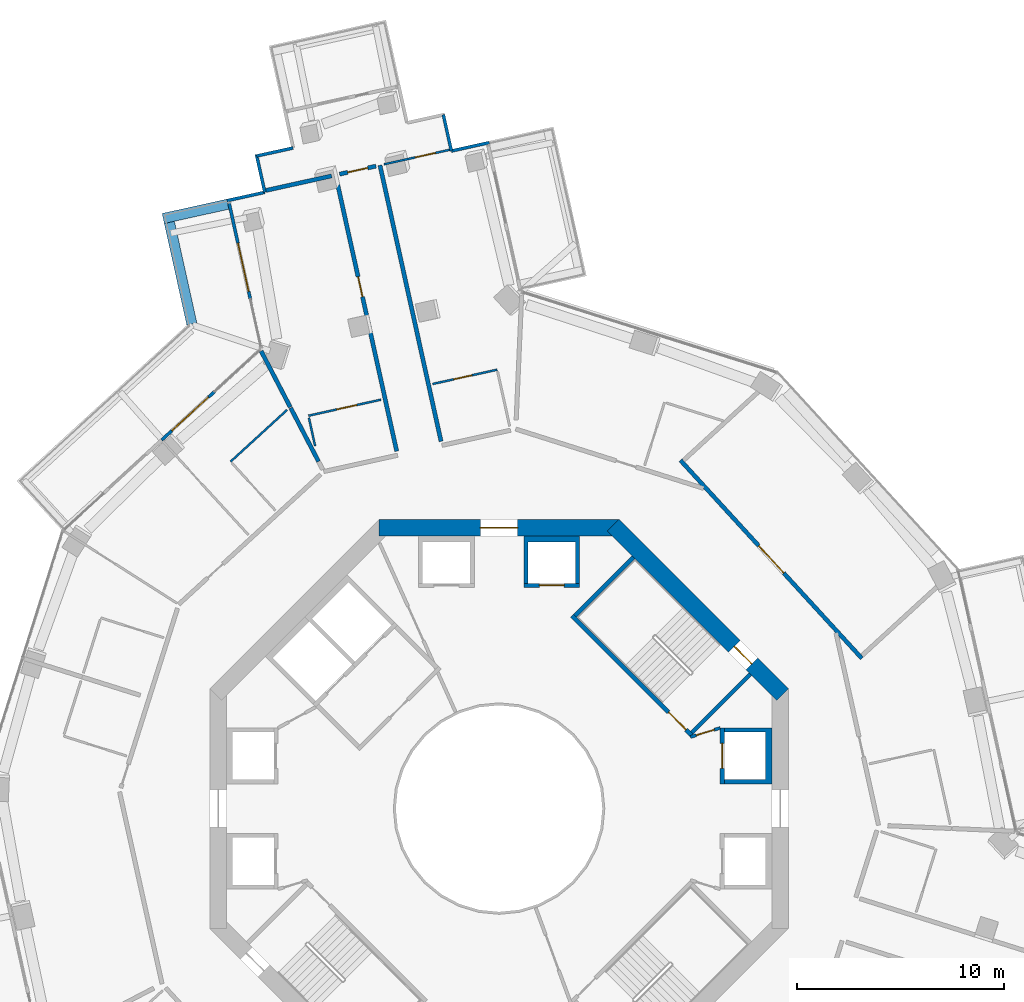
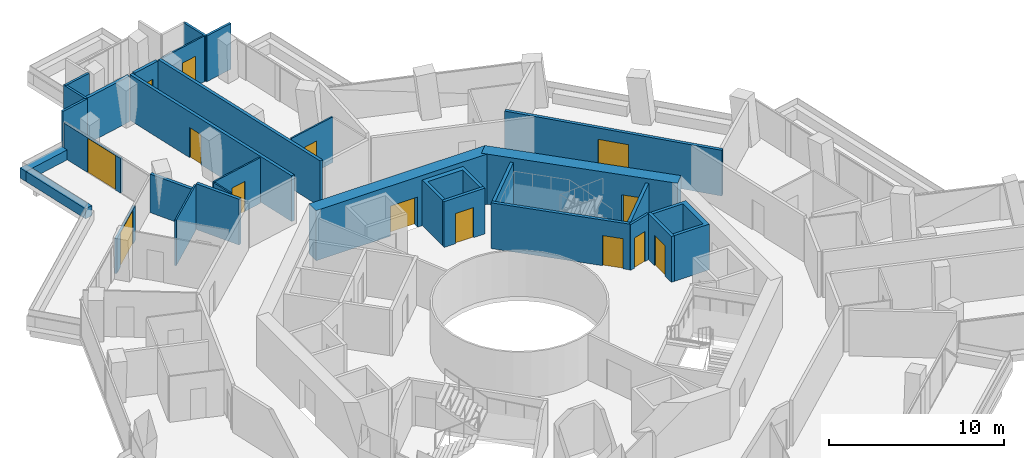
# One storey, part 20 of 24: 31 walls, 14 doors, 14 openings.
"""IFC4 building model written with IfcOpenShell, lengths in metres."""

from ifc_helpers import new_model, si_unit, direction, frame, frame_2d, origin, place, context, subcontext, project, spatial, polyline, rectangle, outline, extrude, material, layer, layer_set, type_object, element, fill, save


model = new_model("IFC4")

# Units and contexts
model_context = context("Model", 3, precision=1e-05, world=origin(), true_north=direction((0.0, 1.0)))
body_context = subcontext(model_context, "Body", "Model", "MODEL_VIEW")
ifc_project = project(units=[si_unit("LENGTHUNIT", "METRE"), si_unit("AREAUNIT", "SQUARE_METRE"), si_unit("VOLUMEUNIT", "CUBIC_METRE"), si_unit("PLANEANGLEUNIT", "RADIAN"), si_unit("MASSUNIT", "GRAM", prefix="KILO")], contexts=[model_context])

# Site, building, storey
site_placement = place(None, origin())
site = spatial("IfcSite", under=ifc_project, at=site_placement, CompositionType="ELEMENT")
building_placement = place(site_placement, origin())
building = spatial("IfcBuilding", under=site, at=building_placement, Name="Verdalira Terraces Hotel", CompositionType="ELEMENT")
storey_placement = place(building_placement, frame((0.0, 0.0, 86.0)))
storey = spatial("IfcBuildingStorey", under=building, at=storey_placement, Name="L19", CompositionType="ELEMENT", Elevation=86.0)

# Walls
ifc_material_1 = material(Name="Concrete C40", Category="concrete")
ifc_layer_1 = layer(ifc_material_1, 0.5)
ifc_layer_set_1 = layer_set([ifc_layer_1], Name="Balcony planter trough with tree")
wall_type_1 = type_object("IfcWallType", Name="Balcony planter trough with tree", PredefinedType="SOLIDWALL", material=ifc_layer_set_1)
wall_1_placement = place(storey_placement, frame((-13.132324, 29.250244, 0.0), z_axis=(0.0, 0.0, 1.0), x_axis=(-0.976378827, -0.216065697, 0.0)))
element("IfcWall", 1, at=wall_1_placement, inside=storey, type_object=wall_type_1, Name="Balcony planter", PredefinedType="SOLIDWALL", context=body_context, shape_type="SweptSolid", body=[
    extrude(rectangle(XDim=3.19873, YDim=0.5, at=frame_2d((1.599365, 0.0))), origin(), (0.0, 0.0, 1.0), 0.699951),
])
wall_2_placement = place(storey_placement, frame((-15.95752, 28.368896, 0.0), z_axis=(0.0, 0.0, 1.0), x_axis=(0.216089425, -0.976373576, 0.0)))
element("IfcWall", 2, at=wall_2_placement, inside=storey, type_object=wall_type_1, Name="Balcony planter", PredefinedType="SOLIDWALL", context=body_context, shape_type="SweptSolid", body=[
    extrude(rectangle(XDim=5.04126, YDim=0.5, at=frame_2d((2.520508, 0.0))), origin(), (0.0, 0.0, 1.0), 0.699951),
])
ifc_material_2 = material(Name="Moisture-resistant gypsum board partition")
ifc_layer_2 = layer(ifc_material_2, 0.10009765625)
ifc_layer_set_2 = layer_set([ifc_layer_2], Name="Bathroom partition 100 mm")
wall_type_2 = type_object("IfcWallType", Name="Bathroom partition 100 mm", PredefinedType="PARTITIONING", material=ifc_layer_set_2)
wall_3_placement = place(storey_placement, frame((-10.260498, 19.293457, 0.0), z_axis=(0.0, 0.0, 1.0), x_axis=(-0.737501517, -0.675345477, 0.0)))
element("IfcWall", 3, at=wall_3_placement, inside=storey, type_object=wall_type_2, Name="Bathroom partition", PredefinedType="PARTITIONING", context=body_context, shape_type="SweptSolid", body=[
    extrude(rectangle(XDim=3.703857, YDim=0.100098, at=frame_2d((1.852051, 0.0))), origin(), (0.0, 0.0, 1.0), 3.189941),
])
wall_4_placement = place(storey_placement, frame((-8.903076, 17.550537, 0.0), z_axis=(0.0, 0.0, 1.0), x_axis=(-0.215950668, 0.976404275, 0.0)))
element("IfcWall", 4, at=wall_4_placement, inside=storey, type_object=wall_type_2, Name="Bathroom partition", PredefinedType="PARTITIONING", context=body_context, shape_type="SweptSolid", body=[
    extrude(rectangle(XDim=1.398438, YDim=0.100098, at=frame_2d((0.699219, 0.0))), origin(), (0.0, 0.0, 1.0), 3.189941),
])

# Wall, opening, door
wall_5_placement = place(storey_placement, frame((-5.711914, 19.791504, 0.0), z_axis=(0.0, 0.0, 1.0), x_axis=(-0.976378166, -0.216068684, 0.0)))
wall_5 = element("IfcWall", 5, at=wall_5_placement, inside=storey, type_object=wall_type_2, Name="Bathroom partition", PredefinedType="PARTITIONING", context=body_context, shape_type="SweptSolid", body=[
    extrude(rectangle(XDim=3.599854, YDim=0.100098, at=frame_2d((1.799805, 0.0))), origin(), (0.0, 0.0, 1.0), 3.189941),
])
opening_1_placement = place(wall_5_placement, frame((1.199951, 0.0, 0.0)))
opening_1 = element("IfcOpeningElement", 6, at=opening_1_placement, cuts=wall_5, Name="Opening L19-105", PredefinedType="OPENING", context=body_context, shape_type="SweptSolid", body=[
    extrude(rectangle(XDim=1.0, YDim=2.100098, at=frame_2d((0.5, 1.050049))), frame((0.0, 0.060059, 0.0), z_axis=(0.0, -1.0, 0.0), x_axis=(1.0, 0.0, 0.0)), (0.0, 0.0, 1.0), 0.120117),
])
ifc_material_3 = material(Name="Timber door", Category="wood")
door_type_1 = type_object("IfcDoorType", Name="Bathroom door 1000 x 2100", OperationType="NOTDEFINED", PredefinedType="DOOR", material=ifc_material_3)
door_1_placement = place(opening_1_placement, origin())
door_1 = element("IfcDoor", 7, at=door_1_placement, inside=storey, type_object=door_type_1, Name="Bathroom door 1902", OperationType="SINGLE_SWING_RIGHT", OverallHeight=2.10009765625, OverallWidth=1.0, PredefinedType="DOOR", context=body_context, shape_type="SweptSolid", body=[
    extrude(rectangle(XDim=1.0, YDim=2.100098, at=frame_2d((0.5, 1.050049))), frame((0.0, 0.024902, 0.0), z_axis=(0.0, -1.0, 0.0), x_axis=(1.0, 0.0, 0.0)), (0.0, 0.0, 1.0), 0.050049),
])
fill(opening_1, door_1)

wall_6_placement = place(storey_placement, frame((-2.394287, 31.882812, 0.0), z_axis=(0.0, 0.0, 1.0), x_axis=(-0.976380972, -0.216056008, 0.0)))
wall_6 = element("IfcWall", 8, at=wall_6_placement, inside=storey, type_object=wall_type_2, Name="Bathroom partition", PredefinedType="PARTITIONING", context=body_context, shape_type="SweptSolid", body=[
    extrude(rectangle(XDim=3.252197, YDim=0.100098, at=frame_2d((1.625977, 0.0))), origin(), (0.0, 0.0, 1.0), 3.189941),
])
opening_2_placement = place(wall_6_placement, frame((0.699951, 0.0, 0.0)))
opening_2 = element("IfcOpeningElement", 9, at=opening_2_placement, cuts=wall_6, Name="Opening L19-102", PredefinedType="OPENING", context=body_context, shape_type="SweptSolid", body=[
    extrude(rectangle(XDim=1.0, YDim=2.100098, at=frame_2d((0.5, 1.050049))), frame((0.0, 0.060059, 0.0), z_axis=(0.0, -1.0, 0.0), x_axis=(1.0, 0.0, 0.0)), (0.0, 0.0, 1.0), 0.120117),
])
ifc_material_4 = material(Name="Timber door", Category="wood")
door_type_2 = type_object("IfcDoorType", Name="Suite internal door 1000 x 2100", OperationType="NOTDEFINED", PredefinedType="DOOR", material=ifc_material_4)
door_2_placement = place(opening_2_placement, origin())
door_2 = element("IfcDoor", 10, at=door_2_placement, inside=storey, type_object=door_type_2, Name="Suite internal door 1901", OperationType="SINGLE_SWING_LEFT", OverallHeight=2.10009765625, OverallWidth=1.0, PredefinedType="DOOR", context=body_context, shape_type="SweptSolid", body=[
    extrude(rectangle(XDim=1.0, YDim=2.100098, at=frame_2d((0.5, 1.050049))), frame((0.0, 0.024902, 0.0), z_axis=(0.0, -1.0, 0.0), x_axis=(1.0, 0.0, 0.0)), (0.0, 0.0, 1.0), 0.050049),
])
fill(opening_2, door_2)

wall_7_placement = place(storey_placement, frame((-0.092285, 21.240234, 0.0), z_axis=(0.0, 0.0, 1.0), x_axis=(-0.976376979, -0.216074049, 0.0)))
wall_7 = element("IfcWall", 11, at=wall_7_placement, inside=storey, type_object=wall_type_2, Name="Bathroom partition", PredefinedType="PARTITIONING", context=body_context, shape_type="SweptSolid", body=[
    extrude(rectangle(XDim=3.199951, YDim=0.100098, at=frame_2d((1.600098, 0.0))), origin(), (0.0, 0.0, 1.0), 3.189941),
])
opening_3_placement = place(wall_7_placement, frame((1.25, 0.0, 0.0)))
opening_3 = element("IfcOpeningElement", 12, at=opening_3_placement, cuts=wall_7, Name="Opening L19-103", PredefinedType="OPENING", context=body_context, shape_type="SweptSolid", body=[
    extrude(rectangle(XDim=0.899902, YDim=2.100098, at=frame_2d((0.449951, 1.050049))), frame((0.0, 0.060059, 0.0), z_axis=(0.0, -1.0, 0.0), x_axis=(1.0, 0.0, 0.0)), (0.0, 0.0, 1.0), 0.120117),
])
ifc_material_5 = material(Name="Timber door", Category="wood")
door_type_3 = type_object("IfcDoorType", Name="Bathroom door 900 x 2100", OperationType="NOTDEFINED", PredefinedType="DOOR", material=ifc_material_5)
door_3_placement = place(opening_3_placement, origin())
door_3 = element("IfcDoor", 13, at=door_3_placement, inside=storey, type_object=door_type_3, Name="Bathroom door 1901", OperationType="SINGLE_SWING_LEFT", OverallHeight=2.10009765625, OverallWidth=0.89990234375, PredefinedType="DOOR", context=body_context, shape_type="SweptSolid", body=[
    extrude(rectangle(XDim=0.899902, YDim=2.100098, at=frame_2d((0.449951, 1.050049))), frame((0.0, 0.024902, 0.0), z_axis=(0.0, -1.0, 0.0), x_axis=(1.0, 0.0, 0.0)), (0.0, 0.0, 1.0), 0.050049),
])
fill(opening_3, door_3)

# Wall
ifc_material_6 = material(Name="Concrete C50", Category="concrete")
ifc_layer_3 = layer(ifc_material_6, 0.199951171875)
ifc_layer_set_3 = layer_set([ifc_layer_3], Name="Core RC wall 200 C50")
wall_type_3 = type_object("IfcWallType", Name="Core RC wall 200 C50", PredefinedType="SOLIDWALL", material=ifc_layer_set_3)
wall_8_placement = place(storey_placement, origin())
element("IfcWall", 14, at=wall_8_placement, inside=storey, type_object=wall_type_3, Name="L19 shaft wall E2", PredefinedType="SOLIDWALL", context=body_context, shape_type="SweptSolid", body=[
    extrude(outline(polyline([(13.199951, 3.899902), (13.199951, 1.199951), (10.899902, 1.199951), (10.899902, 1.399902), (12.899902, 1.399902), (12.899902, 3.699951), (10.899902, 3.699951), (10.899902, 3.899902), (13.199951, 3.899902)])), origin(), (0.0, 0.0, 1.0), 3.189941),
])

# Wall, opening, door
wall_9_placement = place(storey_placement, frame((10.800049, 1.199951, 0.0), z_axis=(0.0, 0.0, 1.0), x_axis=(0.0, 1.0, 0.0)))
wall_9 = element("IfcWall", 15, at=wall_9_placement, inside=storey, type_object=wall_type_3, Name="L19 shaft front wall E2", PredefinedType="SOLIDWALL", context=body_context, shape_type="SweptSolid", body=[
    extrude(rectangle(XDim=2.699951, YDim=0.199951, at=frame_2d((1.350098, 0.0))), origin(), (0.0, 0.0, 1.0), 3.189941),
])
opening_4_placement = place(wall_9_placement, frame((0.75, 0.0, 0.0)))
opening_4 = element("IfcOpeningElement", 16, at=opening_4_placement, cuts=wall_9, Name="Opening LD-L19-802", PredefinedType="OPENING", context=body_context, shape_type="SweptSolid", body=[
    extrude(rectangle(XDim=1.199951, YDim=2.100098, at=frame_2d((0.600098, 1.050049))), frame((0.0, 0.109863, 0.0), z_axis=(0.0, -1.0, 0.0), x_axis=(1.0, 0.0, 0.0)), (0.0, 0.0, 1.0), 0.219971),
])
ifc_material_7 = material(Name="Stainless steel", Category="steel")
door_type_4 = type_object("IfcDoorType", Name="Landing door 1200 x 2100", OperationType="NOTDEFINED", PredefinedType="DOOR", material=ifc_material_7)
door_4_placement = place(opening_4_placement, origin())
door_4 = element("IfcDoor", 17, at=door_4_placement, inside=storey, type_object=door_type_4, Name="Lift landing door LR2 L19", OperationType="DOUBLE_DOOR_SLIDING", OverallHeight=2.10009765625, OverallWidth=1.199951171875, PredefinedType="DOOR", context=body_context, shape_type="SweptSolid", body=[
    extrude(rectangle(XDim=1.199951, YDim=2.100098, at=frame_2d((0.600098, 1.050049))), frame((0.0, 0.024902, 0.0), z_axis=(0.0, -1.0, 0.0), x_axis=(1.0, 0.0, 0.0)), (0.0, 0.0, 1.0), 0.050049),
])
fill(opening_4, door_4)

# Wall
wall_10_placement = place(storey_placement, origin())
element("IfcWall", 18, at=wall_10_placement, inside=storey, type_object=wall_type_3, Name="L19 shaft wall N1", PredefinedType="SOLIDWALL", context=body_context, shape_type="SweptSolid", body=[
    extrude(outline(polyline([(3.899902, 13.199951), (3.899902, 10.899902), (3.699951, 10.899902), (3.699951, 12.899902), (1.399902, 12.899902), (1.399902, 10.899902), (1.199951, 10.899902), (1.199951, 13.199951), (3.899902, 13.199951)])), origin(), (0.0, 0.0, 1.0), 3.189941),
])

# Wall, opening, door
wall_11_placement = place(storey_placement, frame((1.199951, 10.800049, 0.0), z_axis=(0.0, 0.0, 1.0), x_axis=(1.0, 0.0, 0.0)))
wall_11 = element("IfcWall", 19, at=wall_11_placement, inside=storey, type_object=wall_type_3, Name="L19 shaft front wall N1", PredefinedType="SOLIDWALL", context=body_context, shape_type="SweptSolid", body=[
    extrude(rectangle(XDim=2.699951, YDim=0.199951, at=frame_2d((1.350098, 0.0))), origin(), (0.0, 0.0, 1.0), 3.189941),
])
opening_5_placement = place(wall_11_placement, frame((0.75, 0.0, 0.0)))
opening_5 = element("IfcOpeningElement", 20, at=opening_5_placement, cuts=wall_11, Name="Opening LD-L19-803", PredefinedType="OPENING", context=body_context, shape_type="SweptSolid", body=[
    extrude(rectangle(XDim=1.199951, YDim=2.100098, at=frame_2d((0.600098, 1.050049))), frame((0.0, 0.109863, 0.0), z_axis=(0.0, -1.0, 0.0), x_axis=(1.0, 0.0, 0.0)), (0.0, 0.0, 1.0), 0.219971),
])
door_5_placement = place(opening_5_placement, origin())
door_5 = element("IfcDoor", 21, at=door_5_placement, inside=storey, type_object=door_type_4, Name="Lift landing door LR3 L19", OperationType="DOUBLE_DOOR_SLIDING", OverallHeight=2.10009765625, OverallWidth=1.199951171875, PredefinedType="DOOR", context=body_context, shape_type="SweptSolid", body=[
    extrude(rectangle(XDim=1.199951, YDim=2.100098, at=frame_2d((0.600098, 1.050049))), frame((0.0, 0.024902, 0.0), z_axis=(0.0, -1.0, 0.0), x_axis=(1.0, 0.0, 0.0)), (0.0, 0.0, 1.0), 0.050049),
])
fill(opening_5, door_5)

wall_12_placement = place(storey_placement, frame((3.5354, 9.33374, 0.0), z_axis=(0.0, 0.0, 1.0), x_axis=(0.707106781, -0.707106781, 0.0)))
wall_12 = element("IfcWall", 22, at=wall_12_placement, inside=storey, type_object=wall_type_3, Name="L19 stair ST1 front wall", PredefinedType="SOLIDWALL", context=body_context, shape_type="SweptSolid", body=[
    extrude(rectangle(XDim=8.200195, YDim=0.199951, at=frame_2d((4.100098, 0.0))), origin(), (0.0, 0.0, 1.0), 3.189941),
])
opening_6_placement = place(wall_12_placement, frame((6.600098, 0.0, 0.0)))
opening_6 = element("IfcOpeningElement", 23, at=opening_6_placement, cuts=wall_12, Name="Opening L19-809", PredefinedType="OPENING", context=body_context, shape_type="SweptSolid", body=[
    extrude(rectangle(XDim=1.199951, YDim=2.100098, at=frame_2d((0.600098, 1.050049))), frame((0.0, 0.109863, 0.0), z_axis=(0.0, -1.0, 0.0), x_axis=(1.0, 0.0, 0.0)), (0.0, 0.0, 1.0), 0.219971),
])
ifc_material_8 = material(Name="Steel fire door", Category="steel")
door_type_5 = type_object("IfcDoorType", Name="Stair door 1200 x 2100", OperationType="NOTDEFINED", PredefinedType="DOOR", material=ifc_material_8)
door_6_placement = place(opening_6_placement, origin())
door_6 = element("IfcDoor", 24, at=door_6_placement, inside=storey, type_object=door_type_5, Name="Stair door ST1 L19", OperationType="SINGLE_SWING_RIGHT", OverallHeight=2.10009765625, OverallWidth=1.199951171875, PredefinedType="DOOR", context=body_context, shape_type="SweptSolid", body=[
    extrude(rectangle(XDim=1.199951, YDim=2.100098, at=frame_2d((0.600098, 1.050049))), frame((0.0, 0.024902, 0.0), z_axis=(0.0, -1.0, 0.0), x_axis=(1.0, 0.0, 0.0)), (0.0, 0.0, 1.0), 0.050049),
])
fill(opening_6, door_6)

# Walls
for number, where, z_axis, x_axis, name in (
    (25, (9.33374, 3.677002, 0.0), (0.0, 0.0, 1.0), (0.707106781, 0.707106781, 0.0), "L19 stair ST1 end wall 1"),
    (26, (3.677002, 9.33374, 0.0), (0.0, 0.0, 1.0), (0.707106781, 0.707106781, 0.0), "L19 stair ST1 end wall 2"),
):
    element("IfcWall", number, at=place(storey_placement, frame(where, z_axis=z_axis, x_axis=x_axis)), inside=storey, type_object=wall_type_3, Name=name, PredefinedType="SOLIDWALL", context=body_context, shape_type="SweptSolid", body=[
        extrude(rectangle(XDim=4.0, YDim=0.199951, at=frame_2d((2.0, 0.0))), origin(), (0.0, 0.0, 1.0), 3.189941),
    ])

# Wall, opening, door
ifc_material_9 = material(Name="Gypsum board partition")
ifc_layer_4 = layer(ifc_material_9, 0.14990234375)
ifc_layer_set_4 = layer_set([ifc_layer_4], Name="Core partition 150 mm")
wall_type_4 = type_object("IfcWallType", Name="Core partition 150 mm", PredefinedType="PARTITIONING", material=ifc_layer_set_4)
wall_13_placement = place(storey_placement, frame((10.699951, 3.899902, 0.0), z_axis=(0.0, 0.0, 1.0), x_axis=(-0.957084567, -0.289808785, 0.0)))
wall_13 = element("IfcWall", 27, at=wall_13_placement, inside=storey, type_object=wall_type_4, Name="Room partition L19", PredefinedType="PARTITIONING", context=body_context, shape_type="SweptSolid", body=[
    extrude(rectangle(XDim=1.501221, YDim=0.149902, at=frame_2d((0.750488, 0.0))), origin(), (0.0, 0.0, 1.0), 3.189941),
])
opening_7_placement = place(wall_13_placement, frame((0.300781, 0.0, 0.0)))
opening_7 = element("IfcOpeningElement", 28, at=opening_7_placement, cuts=wall_13, Name="Opening L19-820", PredefinedType="OPENING", context=body_context, shape_type="SweptSolid", body=[
    extrude(rectangle(XDim=0.899902, YDim=2.100098, at=frame_2d((0.449951, 1.050049))), frame((0.0, 0.084961, 0.0), z_axis=(0.0, -1.0, 0.0), x_axis=(1.0, 0.0, 0.0)), (0.0, 0.0, 1.0), 0.169922),
])
ifc_material_10 = material(Name="Steel fire door", Category="steel")
door_type_6 = type_object("IfcDoorType", Name="Core room door 900 x 2100", OperationType="NOTDEFINED", PredefinedType="DOOR", material=ifc_material_10)
door_7_placement = place(opening_7_placement, origin())
door_7 = element("IfcDoor", 29, at=door_7_placement, inside=storey, type_object=door_type_6, Name="Door L19 room0", OperationType="SINGLE_SWING_LEFT", OverallHeight=2.10009765625, OverallWidth=0.89990234375, PredefinedType="DOOR", context=body_context, shape_type="SweptSolid", body=[
    extrude(rectangle(XDim=0.899902, YDim=2.100098, at=frame_2d((0.449951, 1.050049))), frame((0.0, 0.024902, 0.0), z_axis=(0.0, -1.0, 0.0), x_axis=(1.0, 0.0, 0.0)), (0.0, 0.0, 1.0), 0.050049),
])
fill(opening_7, door_7)

ifc_material_11 = material(Name="Concrete C70", Category="concrete")
ifc_layer_5 = layer(ifc_material_11, 0.800048828125)
ifc_layer_set_5 = layer_set([ifc_layer_5], Name="Core wall 800 C70")
wall_type_5 = type_object("IfcWallType", Name="Core wall 800 C70", PredefinedType="SHEAR", material=ifc_layer_set_5)
wall_14_placement = place(storey_placement, frame((13.717285, 5.516113, 0.0), z_axis=(0.0, 0.0, 1.0), x_axis=(-0.707106781, 0.707106781, 0.0)))
wall_14 = element("IfcWall", 30, at=wall_14_placement, inside=storey, type_object=wall_type_5, Name="Core wall CW-L19-2", PredefinedType="SHEAR", context=body_context, shape_type="SweptSolid", body=[
    extrude(rectangle(XDim=11.598145, YDim=0.800049, at=frame_2d((5.799072, 0.0))), origin(), (0.0, 0.0, 1.0), 3.5),
])
opening_8_placement = place(wall_14_placement, frame((2.099121, 0.0, 0.0)))
opening_8 = element("IfcOpeningElement", 31, at=opening_8_placement, cuts=wall_14, Name="Opening L19-816", PredefinedType="OPENING", context=body_context, shape_type="SweptSolid", body=[
    extrude(rectangle(XDim=1.199951, YDim=2.100098, at=frame_2d((0.600098, 1.050049))), frame((0.0, 0.409912, 0.0), z_axis=(0.0, -1.0, 0.0), x_axis=(1.0, 0.0, 0.0)), (0.0, 0.0, 1.0), 0.820068),
])
door_8_placement = place(opening_8_placement, origin())
door_8 = element("IfcDoor", 32, at=door_8_placement, inside=storey, type_object=door_type_5, Name="Stair exit door ST1 L19", OperationType="SINGLE_SWING_LEFT", OverallHeight=2.10009765625, OverallWidth=1.199951171875, PredefinedType="DOOR", context=body_context, shape_type="SweptSolid", body=[
    extrude(rectangle(XDim=1.199951, YDim=2.100098, at=frame_2d((0.600098, 1.050049))), frame((0.0, 0.024902, 0.0), z_axis=(0.0, -1.0, 0.0), x_axis=(1.0, 0.0, 0.0)), (0.0, 0.0, 1.0), 0.050049),
])
fill(opening_8, door_8)

wall_15_placement = place(storey_placement, frame((5.799072, 13.600098, 0.0), z_axis=(0.0, 0.0, 1.0), x_axis=(-1.0, 0.0, 0.0)))
wall_15 = element("IfcWall", 33, at=wall_15_placement, inside=storey, type_object=wall_type_5, Name="Core wall CW-L19-3", PredefinedType="SHEAR", context=body_context, shape_type="SweptSolid", body=[
    extrude(rectangle(XDim=11.598145, YDim=0.800049, at=frame_2d((5.799072, 0.0))), origin(), (0.0, 0.0, 1.0), 3.5),
])
opening_9_placement = place(wall_15_placement, frame((4.898926, 0.0, 0.0)))
opening_9 = element("IfcOpeningElement", 34, at=opening_9_placement, cuts=wall_15, Name="Opening L19-813", PredefinedType="OPENING", context=body_context, shape_type="SweptSolid", body=[
    extrude(rectangle(XDim=1.800049, YDim=2.100098, at=frame_2d((0.899902, 1.050049))), frame((0.0, 0.409912, 0.0), z_axis=(0.0, -1.0, 0.0), x_axis=(1.0, 0.0, 0.0)), (0.0, 0.0, 1.0), 0.820068),
])
ifc_material_12 = material(Name="Steel fire door", Category="steel")
door_type_7 = type_object("IfcDoorType", Name="Core entry door pair 1800 x 2100", OperationType="NOTDEFINED", PredefinedType="DOOR", material=ifc_material_12)
door_9_placement = place(opening_9_placement, origin())
door_9 = element("IfcDoor", 35, at=door_9_placement, inside=storey, type_object=door_type_7, Name="Core entry door L19 2", OperationType="DOUBLE_DOOR_SINGLE_SWING", OverallHeight=2.10009765625, OverallWidth=1.800048828125, PredefinedType="DOOR", context=body_context, shape_type="SweptSolid", body=[
    extrude(rectangle(XDim=1.800049, YDim=2.100098, at=frame_2d((0.899902, 1.050049))), frame((0.0, 0.024902, 0.0), z_axis=(0.0, -1.0, 0.0), x_axis=(1.0, 0.0, 0.0)), (0.0, 0.0, 1.0), 0.050049),
])
fill(opening_9, door_9)

# Walls
ifc_material_13 = material(Name="Fire-rated gypsum board wall")
ifc_layer_6 = layer(ifc_material_13, 0.199951171875)
ifc_layer_set_6 = layer_set([ifc_layer_6], Name="Demising wall 200 mm")
wall_type_6 = type_object("IfcWallType", Name="Demising wall 200 mm", PredefinedType="SOLIDWALL", material=ifc_layer_set_6)
wall_16_placement = place(storey_placement, frame((-8.106201, 30.618896, 0.0), z_axis=(0.0, 0.0, 1.0), x_axis=(-0.976365133, -0.216127573, 0.0)))
element("IfcWall", 36, at=wall_16_placement, inside=storey, type_object=wall_type_6, Name="Demising wall", PredefinedType="SOLIDWALL", context=body_context, shape_type="SweptSolid", body=[
    extrude(rectangle(XDim=3.252197, YDim=0.199951, at=frame_2d((1.625977, 0.0))), origin(), (0.0, 0.0, 1.0), 3.189941),
])
wall_17_placement = place(storey_placement, frame((-8.736084, 16.796143, 0.0), z_axis=(0.0, 0.0, 1.0), x_axis=(-0.461415822, 0.887183994, 0.0)))
element("IfcWall", 37, at=wall_17_placement, inside=storey, type_object=wall_type_6, Name="Demising wall", PredefinedType="SOLIDWALL", context=body_context, shape_type="SweptSolid", body=[
    extrude(rectangle(XDim=2.924316, YDim=0.199951, at=frame_2d((1.462158, 0.0))), origin(), (0.0, 0.0, 1.0), 3.189941),
])
ifc_material_14 = material(Name="Fire-rated gypsum board wall")
ifc_layer_7 = layer(ifc_material_14, 0.199951171875)
ifc_layer_set_7 = layer_set([ifc_layer_7], Name="Demising wall 200 mm to beam soffit")
wall_type_7 = type_object("IfcWallType", Name="Demising wall 200 mm to beam soffit", PredefinedType="SOLIDWALL", material=ifc_layer_set_7)
wall_18_placement = place(storey_placement, frame((-10.106689, 19.431396, 0.0), z_axis=(0.0, 0.0, 1.0), x_axis=(-0.461415509, 0.887184157, 0.0)))
element("IfcWall", 38, at=wall_18_placement, inside=storey, type_object=wall_type_7, Name="Demising wall", PredefinedType="SOLIDWALL", context=body_context, shape_type="SweptSolid", body=[
    extrude(rectangle(XDim=3.061523, YDim=0.199951, at=frame_2d((1.530762, 0.0))), origin(), (0.0, 0.0, 1.0), 2.689941),
])

# Wall, opening, door
ifc_material_15 = material(Name="Fire-rated gypsum board wall")
ifc_layer_8 = layer(ifc_material_15, 0.199951171875)
ifc_layer_set_8 = layer_set([ifc_layer_8], Name="Guest corridor wall 200 mm")
wall_type_8 = type_object("IfcWallType", Name="Guest corridor wall 200 mm", PredefinedType="SOLIDWALL", material=ifc_layer_set_8)
wall_19_placement = place(storey_placement, frame((-7.719482, 30.704346, 0.0), z_axis=(0.0, 0.0, 1.0), x_axis=(0.976361891, 0.216142215, 0.0)))
wall_19 = element("IfcWall", 39, at=wall_19_placement, inside=storey, type_object=wall_type_8, Name="Guest corridor wall", PredefinedType="SOLIDWALL", context=body_context, shape_type="SweptSolid", body=[
    extrude(rectangle(XDim=1.803955, YDim=0.199951, at=frame_2d((0.901855, 0.0))), origin(), (0.0, 0.0, 1.0), 3.189941),
])
opening_10_placement = place(wall_19_placement, frame((0.399902, 0.0, 0.0)))
opening_10 = element("IfcOpeningElement", 40, at=opening_10_placement, cuts=wall_19, Name="Opening L19-101", PredefinedType="OPENING", context=body_context, shape_type="SweptSolid", body=[
    extrude(rectangle(XDim=1.0, YDim=2.100098, at=frame_2d((0.5, 1.050049))), frame((0.0, 0.109863, 0.0), z_axis=(0.0, -1.0, 0.0), x_axis=(1.0, 0.0, 0.0)), (0.0, 0.0, 1.0), 0.219971),
])
ifc_material_16 = material(Name="Timber fire door", Category="wood")
door_type_8 = type_object("IfcDoorType", Name="Guest entry door 1000 x 2100", OperationType="NOTDEFINED", PredefinedType="DOOR", material=ifc_material_16)
door_10_placement = place(opening_10_placement, origin())
door_10 = element("IfcDoor", 41, at=door_10_placement, inside=storey, type_object=door_type_8, Name="Guest entry door 1901", OperationType="SINGLE_SWING_LEFT", OverallHeight=2.10009765625, OverallWidth=1.0, PredefinedType="DOOR", context=body_context, shape_type="SweptSolid", body=[
    extrude(rectangle(XDim=1.0, YDim=2.100098, at=frame_2d((0.5, 1.050049))), frame((0.0, 0.024902, 0.0), z_axis=(0.0, -1.0, 0.0), x_axis=(1.0, 0.0, 0.0)), (0.0, 0.0, 1.0), 0.050049),
])
fill(opening_10, door_10)

wall_20_placement = place(storey_placement, frame((-4.954834, 17.296387, 0.0), z_axis=(0.0, 0.0, 1.0), x_axis=(-0.216091911, 0.976373026, 0.0)))
wall_20 = element("IfcWall", 42, at=wall_20_placement, inside=storey, type_object=wall_type_8, Name="Guest corridor wall", PredefinedType="SOLIDWALL", context=body_context, shape_type="SweptSolid", body=[
    extrude(rectangle(XDim=13.688721, YDim=0.199951, at=frame_2d((6.844238, 0.0))), origin(), (0.0, 0.0, 1.0), 3.189941),
])
opening_11_placement = place(wall_20_placement, frame((7.649902, 0.0, 0.0)))
opening_11 = element("IfcOpeningElement", 43, at=opening_11_placement, cuts=wall_20, Name="Opening L19-104", PredefinedType="OPENING", context=body_context, shape_type="SweptSolid", body=[
    extrude(rectangle(XDim=1.0, YDim=2.100098, at=frame_2d((0.5, 1.050049))), frame((0.0, 0.109863, 0.0), z_axis=(0.0, -1.0, 0.0), x_axis=(1.0, 0.0, 0.0)), (0.0, 0.0, 1.0), 0.219971),
])
door_11_placement = place(opening_11_placement, origin())
door_11 = element("IfcDoor", 44, at=door_11_placement, inside=storey, type_object=door_type_8, Name="Guest entry door 1902", OperationType="SINGLE_SWING_RIGHT", OverallHeight=2.10009765625, OverallWidth=1.0, PredefinedType="DOOR", context=body_context, shape_type="SweptSolid", body=[
    extrude(rectangle(XDim=1.0, YDim=2.100098, at=frame_2d((0.5, 1.050049))), frame((0.0, 0.024902, 0.0), z_axis=(0.0, -1.0, 0.0), x_axis=(1.0, 0.0, 0.0)), (0.0, 0.0, 1.0), 0.050049),
])
fill(opening_11, door_11)

# Wall
wall_21_placement = place(storey_placement, frame((-2.806885, 17.771729, 0.0), z_axis=(0.0, 0.0, 1.0), x_axis=(-0.216091911, 0.976373026, 0.0)))
element("IfcWall", 45, at=wall_21_placement, inside=storey, type_object=wall_type_8, Name="Guest corridor wall", PredefinedType="SOLIDWALL", context=body_context, shape_type="SweptSolid", body=[
    extrude(rectangle(XDim=13.688721, YDim=0.199951, at=frame_2d((6.844238, 0.0))), origin(), (0.0, 0.0, 1.0), 3.189941),
])

# Wall, opening, door
ifc_material_17 = material(Name="Terracotta cladding", Category="masonry")
ifc_layer_9 = layer(ifc_material_17, 0.199951171875)
ifc_layer_set_9 = layer_set([ifc_layer_9], Name="Loggia back wall 200")
wall_type_9 = type_object("IfcWallType", Name="Loggia back wall 200", PredefinedType="SOLIDWALL", material=ifc_layer_set_9)
wall_22_placement = place(storey_placement, frame((8.781006, 16.854248, 0.0), z_axis=(0.0, 0.0, 1.0), x_axis=(0.675332489, -0.737513409, 0.0)))
wall_22 = element("IfcWall", 46, at=wall_22_placement, inside=storey, type_object=wall_type_9, Name="Loggia back wall", PredefinedType="SOLIDWALL", context=body_context, shape_type="SweptSolid", body=[
    extrude(rectangle(XDim=13.0, YDim=0.199951, at=frame_2d((6.5, 0.0))), origin(), (0.0, 0.0, 1.0), 3.189941),
])
opening_12_placement = place(wall_22_placement, frame((5.600098, 0.0, 0.0)))
opening_12 = element("IfcOpeningElement", 47, at=opening_12_placement, cuts=wall_22, Name="Opening L19-L01", PredefinedType="OPENING", context=body_context, shape_type="SweptSolid", body=[
    extrude(rectangle(XDim=1.800049, YDim=2.399902, at=frame_2d((0.899902, 1.199951))), frame((0.0, 0.109863, 0.0), z_axis=(0.0, -1.0, 0.0), x_axis=(1.0, 0.0, 0.0)), (0.0, 0.0, 1.0), 0.219971),
])
ifc_material_18 = material(Name="Clear glass", Category="glass")
door_type_9 = type_object("IfcDoorType", Name="Garden double door 1800x2400", OperationType="NOTDEFINED", PredefinedType="DOOR", material=ifc_material_18)
door_12_placement = place(opening_12_placement, origin())
door_12 = element("IfcDoor", 48, at=door_12_placement, inside=storey, type_object=door_type_9, Name="Loggia double door", OperationType="DOUBLE_DOOR_SINGLE_SWING", OverallHeight=2.39990234375, OverallWidth=1.800048828125, PredefinedType="DOOR", context=body_context, shape_type="SweptSolid", body=[
    extrude(rectangle(XDim=1.800049, YDim=2.399902, at=frame_2d((0.899902, 1.199951))), frame((0.0, 0.024902, 0.0), z_axis=(0.0, -1.0, 0.0), x_axis=(1.0, 0.0, 0.0)), (0.0, 0.0, 1.0), 0.050049),
])
fill(opening_12, door_12)

# Walls
ifc_material_19 = material(Name="Terracotta cladding", Category="masonry")
ifc_layer_10 = layer(ifc_material_19, 0.14990234375)
ifc_layer_set_10 = layer_set([ifc_layer_10], Name="Terracotta clad wall 150")
wall_type_10 = type_object("IfcWallType", Name="Terracotta clad wall 150", PredefinedType="SOLIDWALL", material=ifc_layer_set_10)
wall_23_placement = place(storey_placement, frame((-0.476318, 32.230713, 0.0), z_axis=(0.0, 0.0, 1.0), x_axis=(-0.976358333, -0.216158287, 0.0)))
element("IfcWall", 49, at=wall_23_placement, inside=storey, type_object=wall_type_10, Name="Terracotta cladding wall", PredefinedType="SOLIDWALL", context=body_context, shape_type="SweptSolid", body=[
    extrude(rectangle(XDim=1.875, YDim=0.149902, at=frame_2d((0.9375, 0.0))), origin(), (0.0, 0.0, 1.0), 3.189941),
])
wall_24_placement = place(storey_placement, frame((-2.306885, 31.825439, 0.0), z_axis=(0.0, 0.0, 1.0), x_axis=(-0.216183668, 0.976352714, 0.0)))
element("IfcWall", 50, at=wall_24_placement, inside=storey, type_object=wall_type_10, Name="Terracotta cladding wall", PredefinedType="SOLIDWALL", context=body_context, shape_type="SweptSolid", body=[
    extrude(rectangle(XDim=1.800049, YDim=0.149902, at=frame_2d((0.899902, 0.0))), origin(), (0.0, 0.0, 1.0), 3.189941),
])
wall_25_placement = place(storey_placement, frame((-9.969971, 31.9729, 0.0), z_axis=(0.0, 0.0, 1.0), x_axis=(-0.976375, -0.216082992, 0.0)))
element("IfcWall", 51, at=wall_25_placement, inside=storey, type_object=wall_type_10, Name="Terracotta cladding wall", PredefinedType="SOLIDWALL", context=body_context, shape_type="SweptSolid", body=[
    extrude(rectangle(XDim=1.799805, YDim=0.149902, at=frame_2d((0.899902, 0.0))), origin(), (0.0, 0.0, 1.0), 3.189941),
])
wall_26_placement = place(storey_placement, frame((-11.743652, 31.657227, 0.0), z_axis=(0.0, 0.0, 1.0), x_axis=(0.216158287, -0.976358333, 0.0)))
element("IfcWall", 52, at=wall_26_placement, inside=storey, type_object=wall_type_10, Name="Terracotta cladding wall", PredefinedType="SOLIDWALL", context=body_context, shape_type="SweptSolid", body=[
    extrude(rectangle(XDim=1.875, YDim=0.149902, at=frame_2d((0.9375, 0.0))), origin(), (0.0, 0.0, 1.0), 3.189941),
])
wall_27_placement = place(storey_placement, frame((-11.338379, 29.82666, 0.0), z_axis=(0.0, 0.0, 1.0), x_axis=(-0.976364416, -0.216130808, 0.0)))
element("IfcWall", 53, at=wall_27_placement, inside=storey, type_object=wall_type_10, Name="Terracotta cladding wall", PredefinedType="SOLIDWALL", context=body_context, shape_type="SweptSolid", body=[
    extrude(rectangle(XDim=1.875244, YDim=0.149902, at=frame_2d((0.9375, 0.0))), origin(), (0.0, 0.0, 1.0), 3.189941),
])

# Wall, opening, door
ifc_material_20 = material(Name="Terracotta cladding", Category="masonry")
ifc_layer_11 = layer(ifc_material_20, 0.14990234375)
ifc_layer_set_11 = layer_set([ifc_layer_11], Name="Terracotta door pier 150")
wall_type_11 = type_object("IfcWallType", Name="Terracotta door pier 150", PredefinedType="SOLIDWALL", material=ifc_layer_set_11)
wall_28_placement = place(storey_placement, frame((-13.064453, 29.295898, 0.0), z_axis=(0.0, 0.0, 1.0), x_axis=(0.216101776, -0.976370843, 0.0)))
wall_28 = element("IfcWall", 54, at=wall_28_placement, inside=storey, type_object=wall_type_11, Name="Terracotta door pier", PredefinedType="SOLIDWALL", context=body_context, shape_type="SweptSolid", body=[
    extrude(rectangle(XDim=4.773193, YDim=0.149902, at=frame_2d((2.386719, 0.0))), origin(), (0.0, 0.0, 1.0), 2.425049),
])
opening_13_placement = place(wall_28_placement, frame((1.973389, 0.0, 0.0)))
opening_13 = element("IfcOpeningElement", 55, at=opening_13_placement, cuts=wall_28, Name="Opening L19-B03", PredefinedType="OPENING", context=body_context, shape_type="SweptSolid", body=[
    extrude(rectangle(XDim=2.399902, YDim=2.399902, at=frame_2d((1.199951, 1.199951))), frame((0.0, 0.084961, 0.0), z_axis=(0.0, -1.0, 0.0), x_axis=(1.0, 0.0, 0.0)), (0.0, 0.0, 1.0), 0.169922),
])
ifc_material_21 = material(Name="Clear glass", Category="glass")
door_type_10 = type_object("IfcDoorType", Name="Balcony sliding door 2400x2400", OperationType="NOTDEFINED", PredefinedType="DOOR", material=ifc_material_21)
door_13_placement = place(opening_13_placement, origin())
door_13 = element("IfcDoor", 56, at=door_13_placement, inside=storey, type_object=door_type_10, Name="Balcony sliding door", OperationType="SLIDING_TO_LEFT", OverallHeight=2.39990234375, OverallWidth=2.39990234375, PredefinedType="DOOR", context=body_context, shape_type="SweptSolid", body=[
    extrude(rectangle(XDim=2.399902, YDim=2.399902, at=frame_2d((1.199951, 1.199951))), frame((0.0, 0.024902, 0.0), z_axis=(0.0, -1.0, 0.0), x_axis=(1.0, 0.0, 0.0)), (0.0, 0.0, 1.0), 0.050049),
])
fill(opening_13, door_13)

wall_29_placement = place(storey_placement, frame((-13.769043, 20.182373, 0.0), z_axis=(0.0, 0.0, 1.0), x_axis=(-0.737477764, -0.675371415, 0.0)))
wall_29 = element("IfcWall", 57, at=wall_29_placement, inside=storey, type_object=wall_type_11, Name="Terracotta door pier", PredefinedType="SOLIDWALL", context=body_context, shape_type="SweptSolid", body=[
    extrude(rectangle(XDim=3.475098, YDim=0.149902, at=frame_2d((1.737549, 0.0))), origin(), (0.0, 0.0, 1.0), 2.425049),
])
opening_14_placement = place(wall_29_placement, frame((0.399902, 0.0, 0.0)))
opening_14 = element("IfcOpeningElement", 58, at=opening_14_placement, cuts=wall_29, Name="Opening L19-B04", PredefinedType="OPENING", context=body_context, shape_type="SweptSolid", body=[
    extrude(rectangle(XDim=2.399902, YDim=2.399902, at=frame_2d((1.199951, 1.199951))), frame((0.0, 0.084961, 0.0), z_axis=(0.0, -1.0, 0.0), x_axis=(1.0, 0.0, 0.0)), (0.0, 0.0, 1.0), 0.169922),
])
door_14_placement = place(opening_14_placement, origin())
door_14 = element("IfcDoor", 59, at=door_14_placement, inside=storey, type_object=door_type_10, Name="Balcony sliding door", OperationType="SLIDING_TO_RIGHT", OverallHeight=2.39990234375, OverallWidth=2.39990234375, PredefinedType="DOOR", context=body_context, shape_type="SweptSolid", body=[
    extrude(rectangle(XDim=2.399902, YDim=2.399902, at=frame_2d((1.199951, 1.199951))), frame((0.0, 0.024902, 0.0), z_axis=(0.0, -1.0, 0.0), x_axis=(1.0, 0.0, 0.0)), (0.0, 0.0, 1.0), 0.050049),
])
fill(opening_14, door_14)

save(model, "model.ifc")
